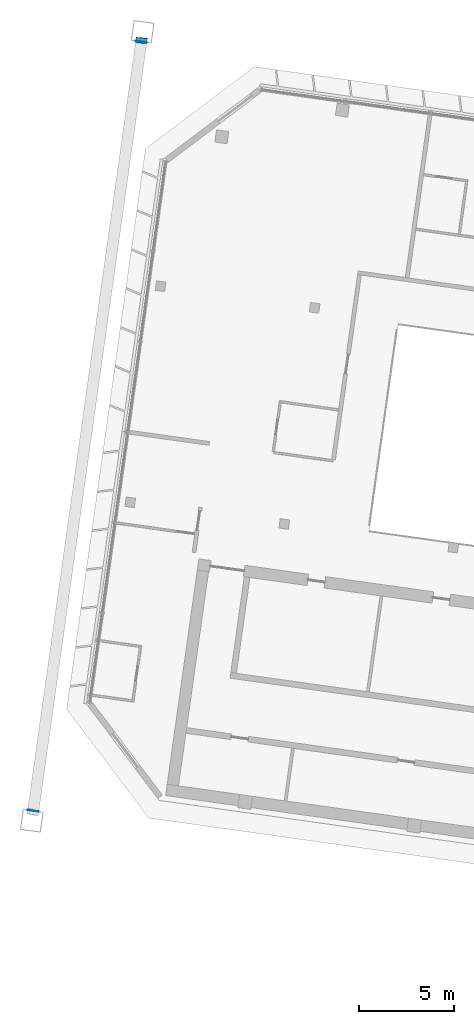
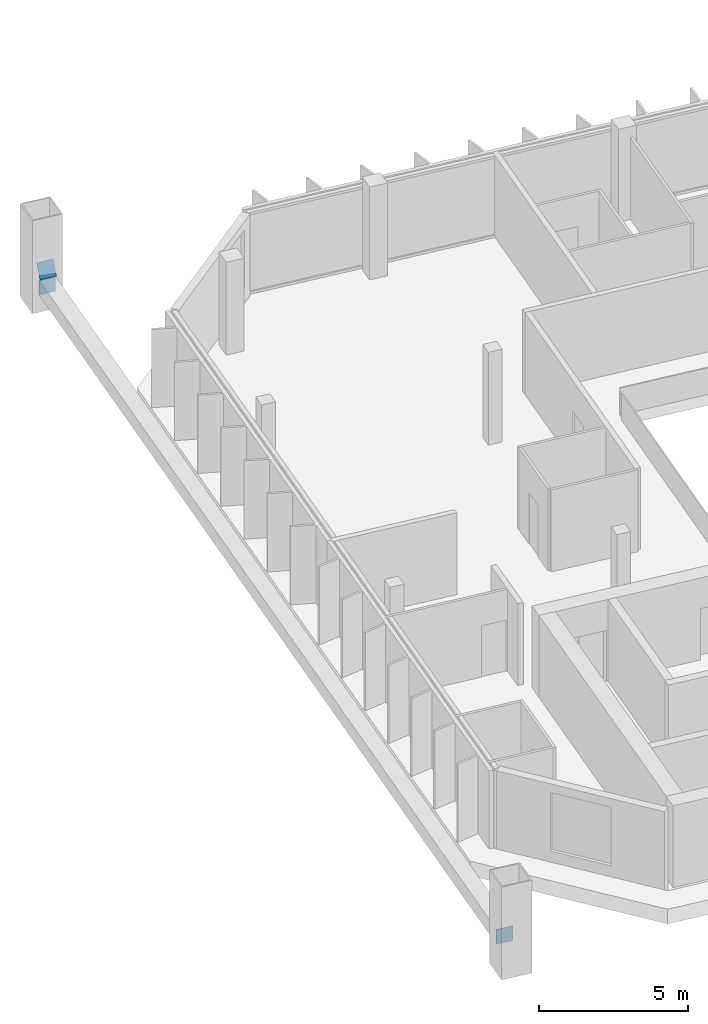
# One storey, part 23 of 26: 3 discrete accessories.
"""IFC4 building model written with IfcOpenShell, lengths in metres."""

from ifc_helpers import new_model, si_unit, direction, frame, origin, origin_2d, place, context, subcontext, project, spatial, rectangle, extrude, material, material_profile, profile_set, type_object, element, save


model = new_model("IFC4")

# Units and contexts
model_context = context("Model", 3, precision=1e-05, world=origin(), true_north=direction((0.0, 1.0)))
body_context = subcontext(model_context, "Body", "Model", "MODEL_VIEW")
ifc_project = project(units=[si_unit("LENGTHUNIT", "METRE"), si_unit("AREAUNIT", "SQUARE_METRE"), si_unit("VOLUMEUNIT", "CUBIC_METRE"), si_unit("PLANEANGLEUNIT", "RADIAN"), si_unit("MASSUNIT", "GRAM", prefix="KILO")], contexts=[model_context])

# Site, building, storey
site_placement = place(None, origin())
site = spatial("IfcSite", under=ifc_project, at=site_placement, CompositionType="ELEMENT")
building_placement = place(site_placement, origin())
building = spatial("IfcBuilding", under=site, at=building_placement, Name="Mirante Cascada Hotel Towers", CompositionType="ELEMENT")
storey_placement = place(building_placement, frame((0.0, 0.0, 216.6)))
storey = spatial("IfcBuildingStorey", under=building, at=storey_placement, Name="L51", CompositionType="ELEMENT", Elevation=216.6)

# Discrete accessories
ifc_material = material(Name="Steel ASTM A572 Gr 50", Category="steel")
ifc_material_profile = material_profile(ifc_material, rectangle(XDim=0.6, YDim=0.6, at=origin_2d()), Name="Connection plate 600x600x25 ASTM A572 Gr 50")
ifc_profile_set = profile_set([ifc_material_profile], Name="Steel ASTM A572 Gr 50")
discrete_accessory_type = type_object("IfcDiscreteAccessoryType", Name="Connection plate 600x600x25 ASTM A572 Gr 50", PredefinedType="BRACKET", material=ifc_profile_set)
discrete_accessory_1_placement = place(storey_placement, frame((-73.6832, 24.8904, 1.6086), z_axis=(-0.0839953, -0.8839505, 0.4599742), x_axis=(0.9955157, -0.0945965, 0.0)))
element("IfcDiscreteAccessory", 1, at=discrete_accessory_1_placement, inside=storey, type_object=discrete_accessory_type, Name="Connection plate MB-OL51R", PredefinedType="BRACKET", context=body_context, shape_type="SweptSolid", body=[
    extrude(rectangle(XDim=0.6, YDim=0.6, at=origin_2d()), origin(), (0.0, 0.0, 1.0), 0.025),
])
discrete_accessory_2_placement = place(storey_placement, frame((-79.3932, -15.742, 1.0), z_axis=(0.1402989, 0.9901092, 0.0), x_axis=(-0.9901092, 0.1402989, 0.0)))
element("IfcDiscreteAccessory", 2, at=discrete_accessory_2_placement, inside=storey, type_object=discrete_accessory_type, Name="Connection plate NCH", PredefinedType="BRACKET", context=body_context, shape_type="SweptSolid", body=[
    extrude(rectangle(XDim=0.6, YDim=0.6, at=origin_2d()), origin(), (0.0, 0.0, 1.0), 0.0249),
])
discrete_accessory_3_placement = place(storey_placement, frame((-73.6955, 24.7995, 1.0), z_axis=(0.1397442, 0.9901876, 0.0), x_axis=(-0.9901876, 0.1397442, 0.0)))
element("IfcDiscreteAccessory", 3, at=discrete_accessory_3_placement, inside=storey, type_object=discrete_accessory_type, Name="Connection plate NCH", PredefinedType="BRACKET", context=body_context, shape_type="SweptSolid", body=[
    extrude(rectangle(XDim=0.6, YDim=0.6, at=origin_2d()), origin(), (0.0, 0.0, 1.0), 0.025),
])

save(model, "model.ifc")
